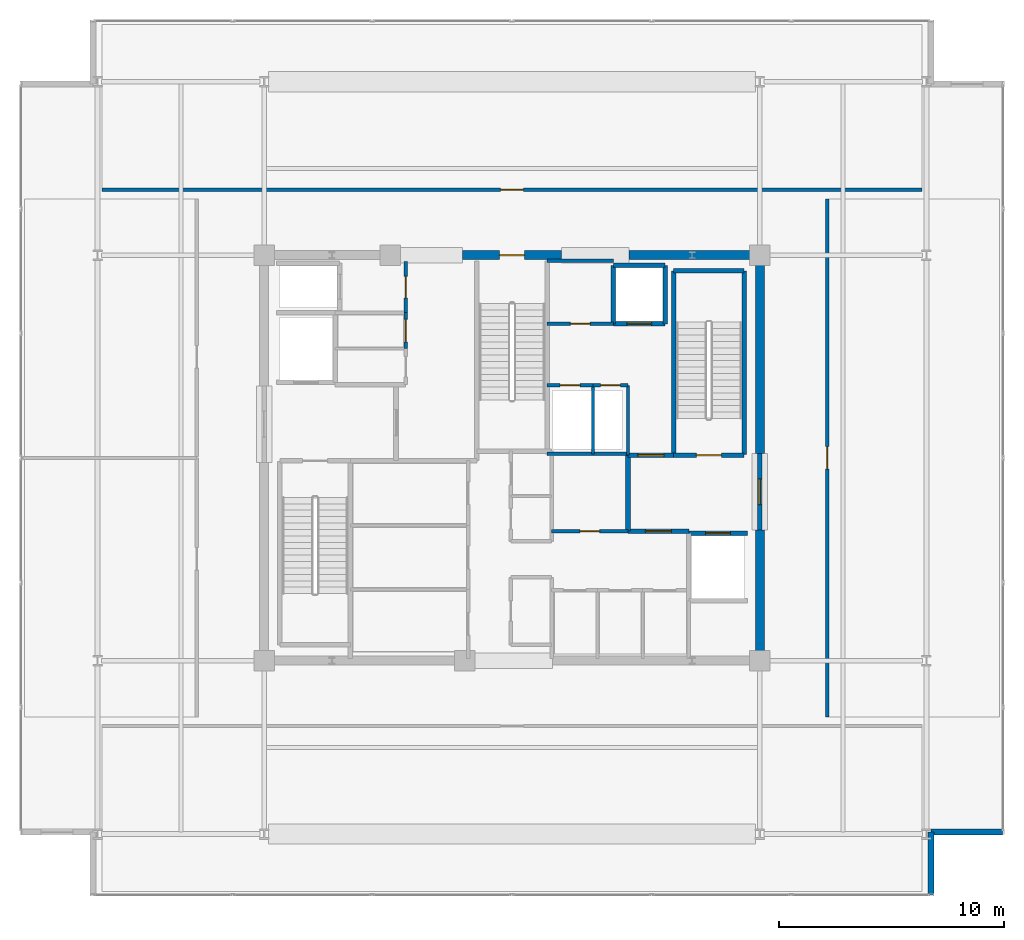
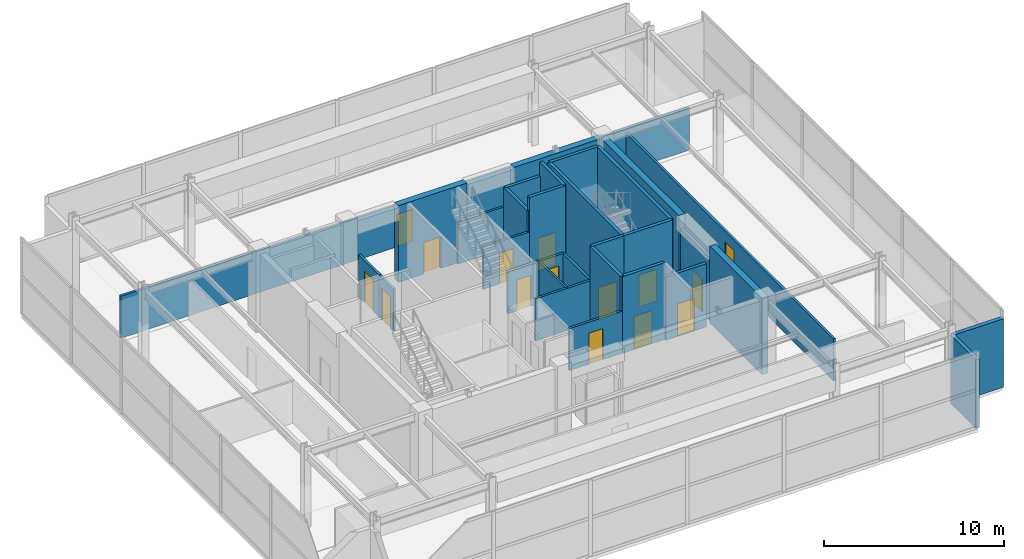
# One storey, part 19 of 24: 31 walls, 15 doors, 15 openings.
"""IFC4 building model written with IfcOpenShell, lengths in metres."""

from ifc_helpers import new_model, si_unit, direction, frame, frame_2d, origin, place, context, subcontext, project, spatial, rectangle, extrude, material, layer, layer_set, type_object, element, fill, save


model = new_model("IFC4")

# Units and contexts
model_context = context("Model", 3, precision=1e-05, world=origin(), true_north=direction((0.0, 1.0)))
body_context = subcontext(model_context, "Body", "Model", "MODEL_VIEW")
ifc_project = project(units=[si_unit("LENGTHUNIT", "METRE"), si_unit("AREAUNIT", "SQUARE_METRE"), si_unit("VOLUMEUNIT", "CUBIC_METRE"), si_unit("PLANEANGLEUNIT", "RADIAN"), si_unit("MASSUNIT", "GRAM", prefix="KILO")], contexts=[model_context])

# Site, building, storey
site_placement = place(None, origin())
site = spatial("IfcSite", under=ifc_project, at=site_placement, CompositionType="ELEMENT")
building_placement = place(site_placement, origin())
building = spatial("IfcBuilding", under=site, at=building_placement, Name="Kovane Verandah Tower", CompositionType="ELEMENT")
storey_placement = place(building_placement, frame((0.0, 0.0, 348.800048828125)))
storey = spatial("IfcBuildingStorey", under=building, at=storey_placement, Name="L81", CompositionType="ELEMENT", Elevation=348.800048828125)

# Wall, opening, door
ifc_material_1 = material(Name="Fire-Rated Gypsum Stud Partition", Category="gypsum")
ifc_layer_1 = layer(ifc_material_1, 0.14990234375)
ifc_layer_set_1 = layer_set([ifc_layer_1], Name="Fire-Rated Gypsum Stud Partition")
wall_type_1 = type_object("IfcWallType", Name="WL-COR-150", PredefinedType="PARTITIONING", material=ifc_layer_set_1)
wall_1_placement = place(storey_placement, frame((35.280029296875, 33.949951171875, 0.0), z_axis=(0.0, 0.0, 1.0), x_axis=(0.0, 1.0, 0.0)))
wall_1 = element("IfcWall", 1, at=wall_1_placement, inside=storey, type_object=wall_type_1, Name="L81 Goods Lift Lobby East Fire Partition", PredefinedType="PARTITIONING", context=body_context, shape_type="SweptSolid", body=[
    extrude(rectangle(XDim=2.27001953125, YDim=0.14990234375, at=frame_2d((1.135009765625, 0.0))), origin(), (0.0, 0.0, 1.0), 2.849853515625),
])
opening_1_placement = place(wall_1_placement, frame((0.659912109375, 0.0, 0.0)))
opening_1 = element("IfcOpeningElement", 2, at=opening_1_placement, cuts=wall_1, Name="Opening DR-L81-006", PredefinedType="OPENING", context=body_context, shape_type="SweptSolid", body=[
    extrude(rectangle(XDim=0.949951171875, YDim=2.14990234375, at=frame_2d((0.47509765625, 1.074951171875))), frame((0.0, 0.074951171875, 0.0), z_axis=(0.0, -1.0, 0.0), x_axis=(1.0, 0.0, 0.0)), (0.0, 0.0, 1.0), 0.14990234375),
])
ifc_material_2 = material(Name="Fire-Rated Steel Refuge and Lobby Door", Category="steel")
door_type_1 = type_object("IfcDoorType", Name="DR-FIRE-950", OperationType="SINGLE_SWING_LEFT", PredefinedType="DOOR", material=ifc_material_2)
door_1_placement = place(opening_1_placement, origin())
door_1 = element("IfcDoor", 3, at=door_1_placement, inside=storey, type_object=door_type_1, Name="L81 Goods Lift Lobby Fire Door", OperationType="SINGLE_SWING_RIGHT", OverallHeight=2.14990234375, OverallWidth=0.949951171875, PredefinedType="DOOR", context=body_context, shape_type="SweptSolid", body=[
    extrude(rectangle(XDim=0.949951171875, YDim=2.14990234375, at=frame_2d((0.47509765625, 1.074951171875))), frame((0.0, 0.02490234375, 0.0), z_axis=(0.0, -1.0, 0.0), x_axis=(1.0, 0.0, 0.0)), (0.0, 0.0, 1.0), 0.050048828125),
])
fill(opening_1, door_1)

wall_2_placement = place(storey_placement, frame((35.280029296875, 32.35009765625, 0.0), z_axis=(0.0, 0.0, 1.0), x_axis=(0.0, 1.0, 0.0)))
wall_2 = element("IfcWall", 4, at=wall_2_placement, inside=storey, type_object=wall_type_1, Name="L81 North-West First Aid Room Partition", PredefinedType="PARTITIONING", context=body_context, shape_type="SweptSolid", body=[
    extrude(rectangle(XDim=1.599853515625, YDim=0.14990234375, at=frame_2d((0.7998046875, 0.0))), origin(), (0.0, 0.0, 1.0), 2.849853515625),
])
opening_2_placement = place(wall_2_placement, frame((0.300048828125, 0.0, 0.0)))
opening_2 = element("IfcOpeningElement", 5, at=opening_2_placement, cuts=wall_2, Name="Opening DR-L81-011", PredefinedType="OPENING", context=body_context, shape_type="SweptSolid", body=[
    extrude(rectangle(XDim=1.0, YDim=2.14990234375, at=frame_2d((0.5, 1.074951171875))), frame((0.0, 0.074951171875, 0.0), z_axis=(0.0, -1.0, 0.0), x_axis=(1.0, 0.0, 0.0)), (0.0, 0.0, 1.0), 0.14990234375),
])
ifc_material_3 = material(Name="FSC Spotted-Gum Timber Fire-Rated Office Door", Category="wood")
door_type_2 = type_object("IfcDoorType", Name="DR-OFF-1000", OperationType="SINGLE_SWING_LEFT", PredefinedType="DOOR", material=ifc_material_3)
door_2_placement = place(opening_2_placement, origin())
door_2 = element("IfcDoor", 6, at=door_2_placement, inside=storey, type_object=door_type_2, Name="L81 North-West First Aid Room Door", OperationType="SINGLE_SWING_RIGHT", OverallHeight=2.14990234375, OverallWidth=1.0, PredefinedType="DOOR", context=body_context, shape_type="SweptSolid", body=[
    extrude(rectangle(XDim=1.0, YDim=2.14990234375, at=frame_2d((0.5, 1.074951171875))), frame((0.0, 0.02490234375, 0.0), z_axis=(0.0, -1.0, 0.0), x_axis=(1.0, 0.0, 0.0)), (0.0, 0.0, 1.0), 0.050048828125),
])
fill(opening_2, door_2)

# Wall
wall_3_placement = place(storey_placement, frame((41.56005859375, 27.679931640625, 0.0), z_axis=(0.0, 0.0, 1.0), x_axis=(1.0, 0.0, 0.0)))
element("IfcWall", 7, at=wall_3_placement, inside=storey, type_object=wall_type_1, Name="L81 East Core Service Riser South Wall", PredefinedType="PARTITIONING", context=body_context, shape_type="SweptSolid", body=[
    extrude(rectangle(XDim=3.58984375, YDim=0.14990234375, at=frame_2d((1.794921875, 0.0))), origin(), (0.0, 0.0, 1.0), 2.849853515625),
])

# Wall, opening, door
wall_4_placement = place(storey_placement, frame((41.760009765625, 24.25, 0.0), z_axis=(0.0, 0.0, 1.0), x_axis=(1.0, 0.0, 0.0)))
wall_4 = element("IfcWall", 8, at=wall_4_placement, inside=storey, type_object=wall_type_1, Name="L81 Supply Store Partition", PredefinedType="PARTITIONING", context=body_context, shape_type="SweptSolid", body=[
    extrude(rectangle(XDim=3.389892578125, YDim=0.14990234375, at=frame_2d((1.69482421875, 0.0))), origin(), (0.0, 0.0, 1.0), 2.849853515625),
])
opening_3_placement = place(wall_4_placement, frame((1.2548828125, 0.0, 0.0)))
opening_3 = element("IfcOpeningElement", 9, at=opening_3_placement, cuts=wall_4, Name="Opening DR-L81-019", PredefinedType="OPENING", context=body_context, shape_type="SweptSolid", body=[
    extrude(rectangle(XDim=0.8798828125, YDim=2.10009765625, at=frame_2d((0.43994140625, 1.050048828125))), frame((0.0, 0.074951171875, 0.0), z_axis=(0.0, -1.0, 0.0), x_axis=(1.0, 0.0, 0.0)), (0.0, 0.0, 1.0), 0.14990234375),
])
ifc_material_4 = material(Name="Fire-Rated Steel Riser Access Door", Category="steel")
door_type_3 = type_object("IfcDoorType", Name="DR-RISER-880", OperationType="SINGLE_SWING_LEFT", PredefinedType="DOOR", material=ifc_material_4)
door_3_placement = place(opening_3_placement, origin())
door_3 = element("IfcDoor", 10, at=door_3_placement, inside=storey, type_object=door_type_3, Name="L81 Supply Store Door", OperationType="SINGLE_SWING_LEFT", OverallHeight=2.10009765625, OverallWidth=0.8798828125, PredefinedType="DOOR", context=body_context, shape_type="SweptSolid", body=[
    extrude(rectangle(XDim=0.8798828125, YDim=2.10009765625, at=frame_2d((0.43994140625, 1.050048828125))), frame((0.0, 0.02490234375, 0.0), z_axis=(0.0, -1.0, 0.0), x_axis=(1.0, 0.0, 0.0)), (0.0, 0.0, 1.0), 0.050048828125),
])
fill(opening_3, door_3)

# Wall
wall_5_placement = place(storey_placement, frame((45.14990234375, 27.6201171875, 0.0), z_axis=(0.0, 0.0, 1.0), x_axis=(0.0, 1.0, 0.0)))
element("IfcWall", 11, at=wall_5_placement, inside=storey, type_object=wall_type_1, Name="L81 East Core Service Riser East Wall", PredefinedType="PARTITIONING", context=body_context, shape_type="SweptSolid", body=[
    extrude(rectangle(XDim=3.099853515625, YDim=0.14990234375, at=frame_2d((1.5498046875, 0.0))), origin(), (0.0, 0.0, 1.0), 2.849853515625),
])

# Wall, opening, door
wall_6_placement = place(storey_placement, frame((41.56005859375, 30.719970703125, 0.0), z_axis=(0.0, 0.0, 1.0), x_axis=(1.0, 0.0, 0.0)))
wall_6 = element("IfcWall", 12, at=wall_6_placement, inside=storey, type_object=wall_type_1, Name="L81 Electrical Sub-Main Riser Room Partition", PredefinedType="PARTITIONING", context=body_context, shape_type="SweptSolid", body=[
    extrude(rectangle(XDim=2.0400390625, YDim=0.14990234375, at=frame_2d((1.02001953125, 0.0))), origin(), (0.0, 0.0, 1.0), 2.849853515625),
])
opening_4_placement = place(wall_6_placement, frame((0.580078125, 0.0, 0.0)))
opening_4 = element("IfcOpeningElement", 13, at=opening_4_placement, cuts=wall_6, Name="Opening DR-L81-022", PredefinedType="OPENING", context=body_context, shape_type="SweptSolid", body=[
    extrude(rectangle(XDim=0.8798828125, YDim=2.10009765625, at=frame_2d((0.43994140625, 1.050048828125))), frame((0.0, 0.074951171875, 0.0), z_axis=(0.0, -1.0, 0.0), x_axis=(1.0, 0.0, 0.0)), (0.0, 0.0, 1.0), 0.14990234375),
])
door_4_placement = place(opening_4_placement, origin())
door_4 = element("IfcDoor", 14, at=door_4_placement, inside=storey, type_object=door_type_3, Name="L81 Electrical Sub-Main Riser Room Door", OperationType="SINGLE_SWING_RIGHT", OverallHeight=2.10009765625, OverallWidth=0.8798828125, PredefinedType="DOOR", context=body_context, shape_type="SweptSolid", body=[
    extrude(rectangle(XDim=0.8798828125, YDim=2.10009765625, at=frame_2d((0.43994140625, 1.050048828125))), frame((0.0, 0.02490234375, 0.0), z_axis=(0.0, -1.0, 0.0), x_axis=(1.0, 0.0, 0.0)), (0.0, 0.0, 1.0), 0.050048828125),
])
fill(opening_4, door_4)

wall_7_placement = place(storey_placement, frame((43.60009765625, 30.719970703125, 0.0), z_axis=(0.0, 0.0, 1.0), x_axis=(1.0, 0.0, 0.0)))
wall_7 = element("IfcWall", 15, at=wall_7_placement, inside=storey, type_object=wall_type_1, Name="L81 Sprinkler Wet Riser Room Partition", PredefinedType="PARTITIONING", context=body_context, shape_type="SweptSolid", body=[
    extrude(rectangle(XDim=1.5498046875, YDim=0.14990234375, at=frame_2d((0.77490234375, 0.0))), origin(), (0.0, 0.0, 1.0), 2.849853515625),
])
opening_5_placement = place(wall_7_placement, frame((0.3349609375, 0.0, 0.0)))
opening_5 = element("IfcOpeningElement", 16, at=opening_5_placement, cuts=wall_7, Name="Opening DR-L81-023", PredefinedType="OPENING", context=body_context, shape_type="SweptSolid", body=[
    extrude(rectangle(XDim=0.8798828125, YDim=2.10009765625, at=frame_2d((0.43994140625, 1.050048828125))), frame((0.0, 0.074951171875, 0.0), z_axis=(0.0, -1.0, 0.0), x_axis=(1.0, 0.0, 0.0)), (0.0, 0.0, 1.0), 0.14990234375),
])
door_5_placement = place(opening_5_placement, origin())
door_5 = element("IfcDoor", 17, at=door_5_placement, inside=storey, type_object=door_type_3, Name="L81 Sprinkler Wet Riser Room Door", OperationType="SINGLE_SWING_LEFT", OverallHeight=2.10009765625, OverallWidth=0.8798828125, PredefinedType="DOOR", context=body_context, shape_type="SweptSolid", body=[
    extrude(rectangle(XDim=0.8798828125, YDim=2.10009765625, at=frame_2d((0.43994140625, 1.050048828125))), frame((0.0, 0.02490234375, 0.0), z_axis=(0.0, -1.0, 0.0), x_axis=(1.0, 0.0, 0.0)), (0.0, 0.0, 1.0), 0.050048828125),
])
fill(opening_5, door_5)

# Wall
wall_8_placement = place(storey_placement, frame((41.56005859375, 36.25, 0.0), z_axis=(0.0, 0.0, 1.0), x_axis=(1.0, 0.0, 0.0)))
element("IfcWall", 18, at=wall_8_placement, inside=storey, type_object=wall_type_1, Name="L81 Sky Telecom Riser North Wall", PredefinedType="PARTITIONING", context=body_context, shape_type="SweptSolid", body=[
    extrude(rectangle(XDim=2.93994140625, YDim=0.14990234375, at=frame_2d((1.469970703125, 0.0))), origin(), (0.0, 0.0, 1.0), 2.849853515625),
])

# Wall, opening, door
wall_9_placement = place(storey_placement, frame((41.56005859375, 33.449951171875, 0.0), z_axis=(0.0, 0.0, 1.0), x_axis=(1.0, 0.0, 0.0)))
wall_9 = element("IfcWall", 19, at=wall_9_placement, inside=storey, type_object=wall_type_1, Name="L81 Sky Telecom Riser Room Partition", PredefinedType="PARTITIONING", context=body_context, shape_type="SweptSolid", body=[
    extrude(rectangle(XDim=2.93994140625, YDim=0.14990234375, at=frame_2d((1.469970703125, 0.0))), origin(), (0.0, 0.0, 1.0), 2.849853515625),
])
opening_6_placement = place(wall_9_placement, frame((1.030029296875, 0.0, 0.0)))
opening_6 = element("IfcOpeningElement", 20, at=opening_6_placement, cuts=wall_9, Name="Opening DR-L81-020", PredefinedType="OPENING", context=body_context, shape_type="SweptSolid", body=[
    extrude(rectangle(XDim=0.8798828125, YDim=2.10009765625, at=frame_2d((0.43994140625, 1.050048828125))), frame((0.0, 0.074951171875, 0.0), z_axis=(0.0, -1.0, 0.0), x_axis=(1.0, 0.0, 0.0)), (0.0, 0.0, 1.0), 0.14990234375),
])
door_6_placement = place(opening_6_placement, origin())
door_6 = element("IfcDoor", 21, at=door_6_placement, inside=storey, type_object=door_type_3, Name="L81 Sky Telecom Riser Room Door", OperationType="SINGLE_SWING_RIGHT", OverallHeight=2.10009765625, OverallWidth=0.8798828125, PredefinedType="DOOR", context=body_context, shape_type="SweptSolid", body=[
    extrude(rectangle(XDim=0.8798828125, YDim=2.10009765625, at=frame_2d((0.43994140625, 1.050048828125))), frame((0.0, 0.02490234375, 0.0), z_axis=(0.0, -1.0, 0.0), x_axis=(1.0, 0.0, 0.0)), (0.0, 0.0, 1.0), 0.050048828125),
])
fill(opening_6, door_6)

wall_10_placement = place(storey_placement, frame((21.800048828125, 39.39990234375, 0.0), z_axis=(0.0, 0.0, 1.0), x_axis=(1.0, 0.0, 0.0)))
wall_10 = element("IfcWall", 22, at=wall_10_placement, inside=storey, type_object=wall_type_1, Name="L81 Public Observation Viewing Gallery North Corridor Partition", PredefinedType="PARTITIONING", context=body_context, shape_type="SweptSolid", body=[
    extrude(rectangle(XDim=36.39990234375, YDim=0.14990234375, at=frame_2d((18.199951171875, 0.0))), origin(), (0.0, 0.0, 1.0), 2.849853515625),
])
opening_7_placement = place(wall_10_placement, frame((17.699951171875, 0.0, 0.0)))
opening_7 = element("IfcOpeningElement", 23, at=opening_7_placement, cuts=wall_10, Name="Opening DR-L81-024", PredefinedType="OPENING", context=body_context, shape_type="SweptSolid", body=[
    extrude(rectangle(XDim=1.0, YDim=2.14990234375, at=frame_2d((0.5, 1.074951171875))), frame((0.0, 0.074951171875, 0.0), z_axis=(0.0, -1.0, 0.0), x_axis=(1.0, 0.0, 0.0)), (0.0, 0.0, 1.0), 0.14990234375),
])
door_7_placement = place(opening_7_placement, origin())
door_7 = element("IfcDoor", 24, at=door_7_placement, inside=storey, type_object=door_type_2, Name="L81 Public Observation Viewing Gallery North Entrance Door", OperationType="SINGLE_SWING_LEFT", OverallHeight=2.14990234375, OverallWidth=1.0, PredefinedType="DOOR", context=body_context, shape_type="SweptSolid", body=[
    extrude(rectangle(XDim=1.0, YDim=2.14990234375, at=frame_2d((0.5, 1.074951171875))), frame((0.0, 0.02490234375, 0.0), z_axis=(0.0, -1.0, 0.0), x_axis=(1.0, 0.0, 0.0)), (0.0, 0.0, 1.0), 0.050048828125),
])
fill(opening_7, door_7)

wall_11_placement = place(storey_placement, frame((54.0, 16.0, 0.0), z_axis=(0.0, 0.0, 1.0), x_axis=(0.0, 1.0, 0.0)))
wall_11 = element("IfcWall", 25, at=wall_11_placement, inside=storey, type_object=wall_type_1, Name="L81 Observation Souvenir and Ticket Gallery Corridor Partition", PredefinedType="PARTITIONING", context=body_context, shape_type="SweptSolid", body=[
    extrude(rectangle(XDim=23.0, YDim=0.14990234375, at=frame_2d((11.5, 0.0))), origin(), (0.0, 0.0, 1.0), 2.849853515625),
])
opening_8_placement = place(wall_11_placement, frame((11.0, 0.0, 0.0)))
opening_8 = element("IfcOpeningElement", 26, at=opening_8_placement, cuts=wall_11, Name="Opening DR-L81-021", PredefinedType="OPENING", context=body_context, shape_type="SweptSolid", body=[
    extrude(rectangle(XDim=1.0, YDim=2.14990234375, at=frame_2d((0.5, 1.074951171875))), frame((0.0, 0.074951171875, 0.0), z_axis=(0.0, -1.0, 0.0), x_axis=(1.0, 0.0, 0.0)), (0.0, 0.0, 1.0), 0.14990234375),
])
door_8_placement = place(opening_8_placement, origin())
door_8 = element("IfcDoor", 27, at=door_8_placement, inside=storey, type_object=door_type_2, Name="L81 Observation Souvenir and Ticket Gallery Entrance Door", OperationType="SINGLE_SWING_LEFT", OverallHeight=2.14990234375, OverallWidth=1.0, PredefinedType="DOOR", context=body_context, shape_type="SweptSolid", body=[
    extrude(rectangle(XDim=1.0, YDim=2.14990234375, at=frame_2d((0.5, 1.074951171875))), frame((0.0, 0.02490234375, 0.0), z_axis=(0.0, -1.0, 0.0), x_axis=(1.0, 0.0, 0.0)), (0.0, 0.0, 1.0), 0.050048828125),
])
fill(opening_8, door_8)

ifc_material_5 = material(Name="Concrete C60/75", Category="concrete")
ifc_layer_2 = layer(ifc_material_5, 0.39990234375)
ifc_layer_set_2 = layer_set([ifc_layer_2], Name="Concrete C60/75")
wall_type_2 = type_object("IfcWallType", Name="WL-CORE-400", PredefinedType="SHEAR", material=ifc_layer_set_2)
wall_12_placement = place(storey_placement, frame((37.800048828125, 36.5, 0.0), z_axis=(0.0, 0.0, 1.0), x_axis=(1.0, 0.0, 0.0)))
wall_12 = element("IfcWall", 28, at=wall_12_placement, inside=storey, type_object=wall_type_2, Name="L81 Core Shear Wall CN-2", PredefinedType="SHEAR", context=body_context, shape_type="SweptSolid", body=[
    extrude(rectangle(XDim=4.39990234375, YDim=0.39990234375, at=frame_2d((2.199951171875, 0.0))), origin(), (0.0, 0.0, 1.0), 5.199951171875),
])
opening_9_placement = place(wall_12_placement, frame((1.64990234375, 0.0, 0.0)))
opening_9 = element("IfcOpeningElement", 29, at=opening_9_placement, cuts=wall_12, Name="Opening DR-L81-009", PredefinedType="OPENING", context=body_context, shape_type="SweptSolid", body=[
    extrude(rectangle(XDim=1.10009765625, YDim=2.14990234375, at=frame_2d((0.550048828125, 1.074951171875))), frame((0.0, 0.199951171875, 0.0), z_axis=(0.0, -1.0, 0.0), x_axis=(1.0, 0.0, 0.0)), (0.0, 0.0, 1.0), 0.39990234375),
])
ifc_material_6 = material(Name="Fire-Rated Steel Exit Door", Category="steel")
door_type_4 = type_object("IfcDoorType", Name="DR-STAIR-1100", OperationType="SINGLE_SWING_LEFT", PredefinedType="DOOR", material=ifc_material_6)
door_9_placement = place(opening_9_placement, origin())
door_9 = element("IfcDoor", 30, at=door_9_placement, inside=storey, type_object=door_type_4, Name="L81 ST-03 Fire Exit Stair Door", OperationType="SINGLE_SWING_RIGHT", OverallHeight=2.14990234375, OverallWidth=1.10009765625, PredefinedType="DOOR", context=body_context, shape_type="SweptSolid", body=[
    extrude(rectangle(XDim=1.10009765625, YDim=2.14990234375, at=frame_2d((0.550048828125, 1.074951171875))), frame((0.0, 0.02490234375, 0.0), z_axis=(0.0, -1.0, 0.0), x_axis=(1.0, 0.0, 0.0)), (0.0, 0.0, 1.0), 0.050048828125),
])
fill(opening_9, door_9)

# Walls
for number, where, z_axis, x_axis, name in (
    (31, (45.199951171875, 36.5, 0.0), (0.0, 0.0, 1.0), (1.0, 0.0, 0.0), "L81 Core Shear Wall CN-3"),
    (32, (51.0, 18.5, 0.0), (0.0, 0.0, 1.0), (0.0, 1.0, 0.0), "L81 Core Shear Wall CE-1"),
):
    element("IfcWall", number, at=place(storey_placement, frame(where, z_axis=z_axis, x_axis=x_axis)), inside=storey, type_object=wall_type_2, Name=name, PredefinedType="SHEAR", context=body_context, shape_type="SweptSolid", body=[
        extrude(rectangle(XDim=5.800048828125, YDim=0.39990234375, at=frame_2d((2.89990234375, 0.0))), origin(), (0.0, 0.0, 1.0), 5.199951171875),
    ])
wall_13_placement = place(storey_placement, frame((51.0, 27.699951171875, 0.0), z_axis=(0.0, 0.0, 1.0), x_axis=(0.0, 1.0, 0.0)))
element("IfcWall", 33, at=wall_13_placement, inside=storey, type_object=wall_type_2, Name="L81 Core Shear Wall CE-2", PredefinedType="SHEAR", context=body_context, shape_type="SweptSolid", body=[
    extrude(rectangle(XDim=8.800048828125, YDim=0.39990234375, at=frame_2d((4.39990234375, 0.0))), origin(), (0.0, 0.0, 1.0), 5.199951171875),
])
ifc_material_7 = material(Name="Concrete C45/55 Fire Wall", Category="concrete")
ifc_layer_3 = layer(ifc_material_7, 0.199951171875)
ifc_layer_set_3 = layer_set([ifc_layer_3], Name="Concrete C45/55 Fire Wall")
wall_type_3 = type_object("IfcWallType", Name="WL-FFL-200", PredefinedType="PARTITIONING", material=ifc_layer_set_3)
wall_14_placement = place(storey_placement, frame((45.14990234375, 24.25, 0.0), z_axis=(0.0, 0.0, 1.0), x_axis=(0.0, 1.0, 0.0)))
element("IfcWall", 34, at=wall_14_placement, inside=storey, type_object=wall_type_3, Name="L81 East Firefighting Lobby West Fire Wall", PredefinedType="PARTITIONING", context=body_context, shape_type="SweptSolid", body=[
    extrude(rectangle(XDim=3.3701171875, YDim=0.199951171875, at=frame_2d((1.68505859375, 0.0))), origin(), (0.0, 0.0, 1.0), 5.199951171875),
])

# Wall, opening, door
wall_15_placement = place(storey_placement, frame((45.14990234375, 24.25, 0.0), z_axis=(0.0, 0.0, 1.0), x_axis=(1.0, 0.0, 0.0)))
wall_15 = element("IfcWall", 35, at=wall_15_placement, inside=storey, type_object=wall_type_3, Name="W-L81-FFLE-S", PredefinedType="PARTITIONING", context=body_context, shape_type="SweptSolid", body=[
    extrude(rectangle(XDim=2.7001953125, YDim=0.199951171875, at=frame_2d((1.35009765625, 0.0))), origin(), (0.0, 0.0, 1.0), 5.199951171875),
])
opening_10_placement = place(wall_15_placement, frame((0.77490234375, 0.0, 0.0)))
opening_10 = element("IfcOpeningElement", 36, at=opening_10_placement, cuts=wall_15, Name="Opening DR-L81-001", PredefinedType="OPENING", context=body_context, shape_type="SweptSolid", body=[
    extrude(rectangle(XDim=1.14990234375, YDim=2.199951171875, at=frame_2d((0.574951171875, 1.10009765625))), frame((0.0, 0.10009765625, 0.0), z_axis=(0.0, -1.0, 0.0), x_axis=(1.0, 0.0, 0.0)), (0.0, 0.0, 1.0), 0.199951171875),
])
ifc_material_8 = material(Name="Smoke-Sealed Firefighting Lobby Door", Category="steel")
door_type_5 = type_object("IfcDoorType", Name="DR-FFL-1150", OperationType="SINGLE_SWING_LEFT", PredefinedType="DOOR", material=ifc_material_8)
door_10_placement = place(opening_10_placement, origin())
door_10 = element("IfcDoor", 37, at=door_10_placement, inside=storey, type_object=door_type_5, Name="L81 East Firefighting Lobby Inner Door", OperationType="SINGLE_SWING_RIGHT", OverallHeight=2.199951171875, OverallWidth=1.14990234375, PredefinedType="DOOR", context=body_context, shape_type="SweptSolid", body=[
    extrude(rectangle(XDim=1.14990234375, YDim=2.199951171875, at=frame_2d((0.574951171875, 1.10009765625))), frame((0.0, 0.02490234375, 0.0), z_axis=(0.0, -1.0, 0.0), x_axis=(1.0, 0.0, 0.0)), (0.0, 0.0, 1.0), 0.050048828125),
])
fill(opening_10, door_10)

wall_16_placement = place(storey_placement, frame((45.14990234375, 27.6201171875, 0.0), z_axis=(0.0, 0.0, 1.0), x_axis=(1.0, 0.0, 0.0)))
wall_16 = element("IfcWall", 38, at=wall_16_placement, inside=storey, type_object=wall_type_3, Name="W-L81-FFLE-N", PredefinedType="PARTITIONING", context=body_context, shape_type="SweptSolid", body=[
    extrude(rectangle(XDim=2.030029296875, YDim=0.199951171875, at=frame_2d((1.01513671875, 0.0))), origin(), (0.0, 0.0, 1.0), 5.199951171875),
])
opening_11_placement = place(wall_16_placement, frame((0.43994140625, 0.0, 0.0)))
opening_11 = element("IfcOpeningElement", 39, at=opening_11_placement, cuts=wall_16, Name="Opening DR-L81-002", PredefinedType="OPENING", context=body_context, shape_type="SweptSolid", body=[
    extrude(rectangle(XDim=1.14990234375, YDim=2.199951171875, at=frame_2d((0.574951171875, 1.10009765625))), frame((0.0, 0.10009765625, 0.0), z_axis=(0.0, -1.0, 0.0), x_axis=(1.0, 0.0, 0.0)), (0.0, 0.0, 1.0), 0.199951171875),
])
door_11_placement = place(opening_11_placement, origin())
door_11 = element("IfcDoor", 40, at=door_11_placement, inside=storey, type_object=door_type_5, Name="L81 East Firefighting Lobby Shuttle Link Door", OperationType="SINGLE_SWING_LEFT", OverallHeight=2.199951171875, OverallWidth=1.14990234375, PredefinedType="DOOR", context=body_context, shape_type="SweptSolid", body=[
    extrude(rectangle(XDim=1.14990234375, YDim=2.199951171875, at=frame_2d((0.574951171875, 1.10009765625))), frame((0.0, 0.02490234375, 0.0), z_axis=(0.0, -1.0, 0.0), x_axis=(1.0, 0.0, 0.0)), (0.0, 0.0, 1.0), 0.050048828125),
])
fill(opening_11, door_11)

wall_17_placement = place(storey_placement, frame((51.0, 24.300048828125, 0.0), z_axis=(0.0, 0.0, 1.0), x_axis=(0.0, 1.0, 0.0)))
wall_17 = element("IfcWall", 41, at=wall_17_placement, inside=storey, type_object=wall_type_3, Name="W-L81-FFLE-OUT", PredefinedType="PARTITIONING", context=body_context, shape_type="SweptSolid", body=[
    extrude(rectangle(XDim=3.39990234375, YDim=0.199951171875, at=frame_2d((1.699951171875, 0.0))), origin(), (0.0, 0.0, 1.0), 4.280029296875),
])
opening_12_placement = place(wall_17_placement, frame((1.125, 0.0, 0.0)))
opening_12 = element("IfcOpeningElement", 42, at=opening_12_placement, cuts=wall_17, Name="Opening DR-L81-003", PredefinedType="OPENING", context=body_context, shape_type="SweptSolid", body=[
    extrude(rectangle(XDim=1.14990234375, YDim=2.199951171875, at=frame_2d((0.574951171875, 1.10009765625))), frame((0.0, 0.10009765625, 0.0), z_axis=(0.0, -1.0, 0.0), x_axis=(1.0, 0.0, 0.0)), (0.0, 0.0, 1.0), 0.199951171875),
])
door_12_placement = place(opening_12_placement, origin())
door_12 = element("IfcDoor", 43, at=door_12_placement, inside=storey, type_object=door_type_5, Name="L81 East Firefighting Lobby Corridor Door", OperationType="SINGLE_SWING_LEFT", OverallHeight=2.199951171875, OverallWidth=1.14990234375, PredefinedType="DOOR", context=body_context, shape_type="SweptSolid", body=[
    extrude(rectangle(XDim=1.14990234375, YDim=2.199951171875, at=frame_2d((0.574951171875, 1.10009765625))), frame((0.0, 0.02490234375, 0.0), z_axis=(0.0, -1.0, 0.0), x_axis=(1.0, 0.0, 0.0)), (0.0, 0.0, 1.0), 0.050048828125),
])
fill(opening_12, door_12)

ifc_material_9 = material(Name="Concrete C45/55 Lift Shaft Wall", Category="concrete")
ifc_layer_4 = layer(ifc_material_9, 0.199951171875)
ifc_layer_set_4 = layer_set([ifc_layer_4], Name="Concrete C45/55 Lift Shaft Wall")
wall_type_4 = type_object("IfcWallType", Name="WL-LIFT-200", PredefinedType="SOLIDWALL", material=ifc_layer_set_4)
wall_18_placement = place(storey_placement, frame((50.449951171875, 24.14990234375, 0.0), z_axis=(0.0, 0.0, 1.0), x_axis=(-1.0, 0.0, 0.0)))
wall_18 = element("IfcWall", 44, at=wall_18_placement, inside=storey, type_object=wall_type_4, Name="L81 Lift FL-02 N Shaft Wall", PredefinedType="SOLIDWALL", context=body_context, shape_type="SweptSolid", body=[
    extrude(rectangle(XDim=2.599853515625, YDim=0.199951171875, at=frame_2d((1.2998046875, 0.0))), origin(), (0.0, 0.0, 1.0), 4.280029296875),
])
opening_13_placement = place(wall_18_placement, frame((0.75, 0.0, 0.0)))
opening_13 = element("IfcOpeningElement", 45, at=opening_13_placement, cuts=wall_18, Name="Opening LD-L81-002", PredefinedType="OPENING", context=body_context, shape_type="SweptSolid", body=[
    extrude(rectangle(XDim=1.10009765625, YDim=2.199951171875, at=frame_2d((0.550048828125, 1.10009765625))), frame((0.0, 0.10009765625, 0.0), z_axis=(0.0, -1.0, 0.0), x_axis=(1.0, 0.0, 0.0)), (0.0, 0.0, 1.0), 0.199951171875),
])
ifc_material_10 = material(Name="Brushed Stainless Steel Sliding Lift Landing Door", Category="steel")
door_type_6 = type_object("IfcDoorType", Name="DR-LIFT-1100", OperationType="SLIDING_TO_RIGHT", PredefinedType="DOOR", material=ifc_material_10)
door_13_placement = place(opening_13_placement, origin())
door_13 = element("IfcDoor", 46, at=door_13_placement, inside=storey, type_object=door_type_6, Name="L81 Lift FL-02 Sliding Landing Door", OperationType="SLIDING_TO_RIGHT", OverallHeight=2.199951171875, OverallWidth=1.10009765625, PredefinedType="DOOR", context=body_context, shape_type="SweptSolid", body=[
    extrude(rectangle(XDim=1.10009765625, YDim=2.199951171875, at=frame_2d((0.550048828125, 1.10009765625))), frame((0.0, 0.02490234375, 0.0), z_axis=(0.0, -1.0, 0.0), x_axis=(1.0, 0.0, 0.0)), (0.0, 0.0, 1.0), 0.050048828125),
])
fill(opening_13, door_13)

wall_19_placement = place(storey_placement, frame((44.5, 33.449951171875, 0.0), z_axis=(0.0, 0.0, 1.0), x_axis=(1.0, 0.0, 0.0)))
wall_19 = element("IfcWall", 47, at=wall_19_placement, inside=storey, type_object=wall_type_4, Name="L81 Lift OL-01 S Shaft Wall", PredefinedType="SOLIDWALL", context=body_context, shape_type="SweptSolid", body=[
    extrude(rectangle(XDim=2.300048828125, YDim=0.199951171875, at=frame_2d((1.14990234375, 0.0))), origin(), (0.0, 0.0, 1.0), 5.199951171875),
])
opening_14_placement = place(wall_19_placement, frame((0.60009765625, 0.0, 0.0)))
opening_14 = element("IfcOpeningElement", 48, at=opening_14_placement, cuts=wall_19, Name="Opening LD-L81-004", PredefinedType="OPENING", context=body_context, shape_type="SweptSolid", body=[
    extrude(rectangle(XDim=1.10009765625, YDim=2.199951171875, at=frame_2d((0.550048828125, 1.10009765625))), frame((0.0, 0.10009765625, 0.0), z_axis=(0.0, -1.0, 0.0), x_axis=(1.0, 0.0, 0.0)), (0.0, 0.0, 1.0), 0.199951171875),
])
door_14_placement = place(opening_14_placement, origin())
door_14 = element("IfcDoor", 49, at=door_14_placement, inside=storey, type_object=door_type_6, Name="L81 Lift OL-01 Sliding Landing Door", OperationType="SLIDING_TO_RIGHT", OverallHeight=2.199951171875, OverallWidth=1.10009765625, PredefinedType="DOOR", context=body_context, shape_type="SweptSolid", body=[
    extrude(rectangle(XDim=1.10009765625, YDim=2.199951171875, at=frame_2d((0.550048828125, 1.10009765625))), frame((0.0, 0.02490234375, 0.0), z_axis=(0.0, -1.0, 0.0), x_axis=(1.0, 0.0, 0.0)), (0.0, 0.0, 1.0), 0.050048828125),
])
fill(opening_14, door_14)

# Walls
wall_20_placement = place(storey_placement, frame((46.800048828125, 36.050048828125, 0.0), z_axis=(0.0, 0.0, 1.0), x_axis=(-1.0, 0.0, 0.0)))
element("IfcWall", 50, at=wall_20_placement, inside=storey, type_object=wall_type_4, Name="L81 Lift OL-01 N Shaft Wall", PredefinedType="SOLIDWALL", context=body_context, shape_type="SweptSolid", body=[
    extrude(rectangle(XDim=2.300048828125, YDim=0.199951171875, at=frame_2d((1.14990234375, 0.0))), origin(), (0.0, 0.0, 1.0), 4.280029296875),
])
wall_21_placement = place(storey_placement, frame((44.5, 36.050048828125, 0.0), z_axis=(0.0, 0.0, 1.0), x_axis=(0.0, -1.0, 0.0)))
element("IfcWall", 51, at=wall_21_placement, inside=storey, type_object=wall_type_4, Name="L81 Lift OL-01 W Shaft Wall", PredefinedType="SOLIDWALL", context=body_context, shape_type="SweptSolid", body=[
    extrude(rectangle(XDim=2.60009765625, YDim=0.199951171875, at=frame_2d((1.300048828125, 0.0))), origin(), (0.0, 0.0, 1.0), 4.280029296875),
])
wall_22_placement = place(storey_placement, frame((46.800048828125, 33.449951171875, 0.0), z_axis=(0.0, 0.0, 1.0), x_axis=(0.0, 1.0, 0.0)))
element("IfcWall", 52, at=wall_22_placement, inside=storey, type_object=wall_type_4, Name="L81 Lift OL-01 E Shaft Wall", PredefinedType="SOLIDWALL", context=body_context, shape_type="SweptSolid", body=[
    extrude(rectangle(XDim=2.60009765625, YDim=0.199951171875, at=frame_2d((1.300048828125, 0.0))), origin(), (0.0, 0.0, 1.0), 5.199951171875),
])
ifc_material_11 = material(Name="Acoustic Fire-Rated Gypsum Partition", Category="gypsum")
ifc_layer_5 = layer(ifc_material_11, 0.1201171875)
ifc_layer_set_5 = layer_set([ifc_layer_5], Name="Acoustic Fire-Rated Gypsum Partition")
wall_type_5 = type_object("IfcWallType", Name="WL-PART-120", PredefinedType="PARTITIONING", material=ifc_layer_set_5)
wall_23_placement = place(storey_placement, frame((43.60009765625, 27.679931640625, 0.0), z_axis=(0.0, 0.0, 1.0), x_axis=(0.0, 1.0, 0.0)))
element("IfcWall", 53, at=wall_23_placement, inside=storey, type_object=wall_type_5, Name="L81 Service Riser Dividing Partition", PredefinedType="PARTITIONING", context=body_context, shape_type="SweptSolid", body=[
    extrude(rectangle(XDim=3.0400390625, YDim=0.1201171875, at=frame_2d((1.52001953125, 0.0))), origin(), (0.0, 0.0, 1.0), 2.849853515625),
])
ifc_material_12 = material(Name="Concrete C45/55", Category="concrete")
ifc_layer_6 = layer(ifc_material_12, 0.199951171875)
ifc_layer_set_6 = layer_set([ifc_layer_6], Name="Concrete C45/55")
wall_type_6 = type_object("IfcWallType", Name="WL-SHAFT-200", PredefinedType="SOLIDWALL", material=ifc_layer_set_6)
wall_24_placement = place(storey_placement, frame((50.300048828125, 27.64990234375, 0.0), z_axis=(0.0, 0.0, 1.0), x_axis=(0.0, 1.0, 0.0)))
element("IfcWall", 54, at=wall_24_placement, inside=storey, type_object=wall_type_6, Name="W-L81-ST02-E", PredefinedType="SOLIDWALL", context=body_context, shape_type="SweptSolid", body=[
    extrude(rectangle(XDim=8.150146484375, YDim=0.199951171875, at=frame_2d((4.0751953125, 0.0))), origin(), (0.0, 0.0, 1.0), 5.199951171875),
])
wall_25_placement = place(storey_placement, frame((47.179931640625, 35.800048828125, 0.0), z_axis=(0.0, 0.0, 1.0), x_axis=(1.0, 0.0, 0.0)))
element("IfcWall", 55, at=wall_25_placement, inside=storey, type_object=wall_type_6, Name="W-L81-ST02-N", PredefinedType="SOLIDWALL", context=body_context, shape_type="SweptSolid", body=[
    extrude(rectangle(XDim=3.1201171875, YDim=0.199951171875, at=frame_2d((1.56005859375, 0.0))), origin(), (0.0, 0.0, 1.0), 5.199951171875),
])
wall_26_placement = place(storey_placement, frame((47.179931640625, 27.6201171875, 0.0), z_axis=(0.0, 0.0, 1.0), x_axis=(0.0, 1.0, 0.0)))
element("IfcWall", 56, at=wall_26_placement, inside=storey, type_object=wall_type_6, Name="W-L81-ST02-W", PredefinedType="SOLIDWALL", context=body_context, shape_type="SweptSolid", body=[
    extrude(rectangle(XDim=8.179931640625, YDim=0.199951171875, at=frame_2d((4.08984375, 0.0))), origin(), (0.0, 0.0, 1.0), 5.199951171875),
])

# Wall, opening, door
wall_27_placement = place(storey_placement, frame((47.179931640625, 27.6201171875, 0.0), z_axis=(0.0, 0.0, 1.0), x_axis=(1.0, 0.0, 0.0)))
wall_27 = element("IfcWall", 57, at=wall_27_placement, inside=storey, type_object=wall_type_6, Name="W-L81-ST02-S", PredefinedType="SOLIDWALL", context=body_context, shape_type="SweptSolid", body=[
    extrude(rectangle(XDim=3.1201171875, YDim=0.199951171875, at=frame_2d((1.56005859375, 0.0))), origin(), (0.0, 0.0, 1.0), 5.199951171875),
])
opening_15_placement = place(wall_27_placement, frame((1.010009765625, 0.0, 0.0)))
opening_15 = element("IfcOpeningElement", 58, at=opening_15_placement, cuts=wall_27, Name="Opening DR-L81-008", PredefinedType="OPENING", context=body_context, shape_type="SweptSolid", body=[
    extrude(rectangle(XDim=1.10009765625, YDim=2.14990234375, at=frame_2d((0.550048828125, 1.074951171875))), frame((0.0, 0.10009765625, 0.0), z_axis=(0.0, -1.0, 0.0), x_axis=(1.0, 0.0, 0.0)), (0.0, 0.0, 1.0), 0.199951171875),
])
door_15_placement = place(opening_15_placement, origin())
door_15 = element("IfcDoor", 59, at=door_15_placement, inside=storey, type_object=door_type_4, Name="L81 ST-02 Fire Exit Stair Door", OperationType="SINGLE_SWING_LEFT", OverallHeight=2.14990234375, OverallWidth=1.10009765625, PredefinedType="DOOR", context=body_context, shape_type="SweptSolid", body=[
    extrude(rectangle(XDim=1.10009765625, YDim=2.14990234375, at=frame_2d((0.550048828125, 1.074951171875))), frame((0.0, 0.02490234375, 0.0), z_axis=(0.0, -1.0, 0.0), x_axis=(1.0, 0.0, 0.0)), (0.0, 0.0, 1.0), 0.050048828125),
])
fill(opening_15, door_15)

# Walls
ifc_material_13 = material(Name="Concrete C45/55 Insulated Spandrel Wall", Category="concrete")
ifc_layer_7 = layer(ifc_material_13, 0.260009765625)
ifc_layer_set_7 = layer_set([ifc_layer_7], Name="Concrete C45/55 Insulated Spandrel Wall")
wall_type_7 = type_object("IfcWallType", Name="WL-SPANDREL-260", PredefinedType="PARAPET", material=ifc_layer_set_7)
wall_28_placement = place(storey_placement, frame((58.60009765625, 8.10009765625, 0.0), z_axis=(0.0, 0.0, 1.0), x_axis=(0.0, 1.0, 0.0)))
element("IfcWall", 60, at=wall_28_placement, inside=storey, type_object=wall_type_7, Name="L81 SE Notch Cheek Wall 1", PredefinedType="PARAPET", context=body_context, shape_type="SweptSolid", body=[
    extrude(rectangle(XDim=2.7998046875, YDim=0.260009765625, at=frame_2d((1.39990234375, 0.0))), origin(), (0.0, 0.0, 1.0), 4.635498046875),
])
wall_29_placement = place(storey_placement, frame((58.60009765625, 10.89990234375, 0.0), z_axis=(0.0, 0.0, 1.0), x_axis=(1.0, 0.0, 0.0)))
element("IfcWall", 61, at=wall_29_placement, inside=storey, type_object=wall_type_7, Name="L81 SE Notch Cheek Wall 2", PredefinedType="PARAPET", context=body_context, shape_type="SweptSolid", body=[
    extrude(rectangle(XDim=3.199951171875, YDim=0.260009765625, at=frame_2d((1.60009765625, 0.0))), origin(), (0.0, 0.0, 1.0), 4.635498046875),
])

save(model, "model.ifc")
